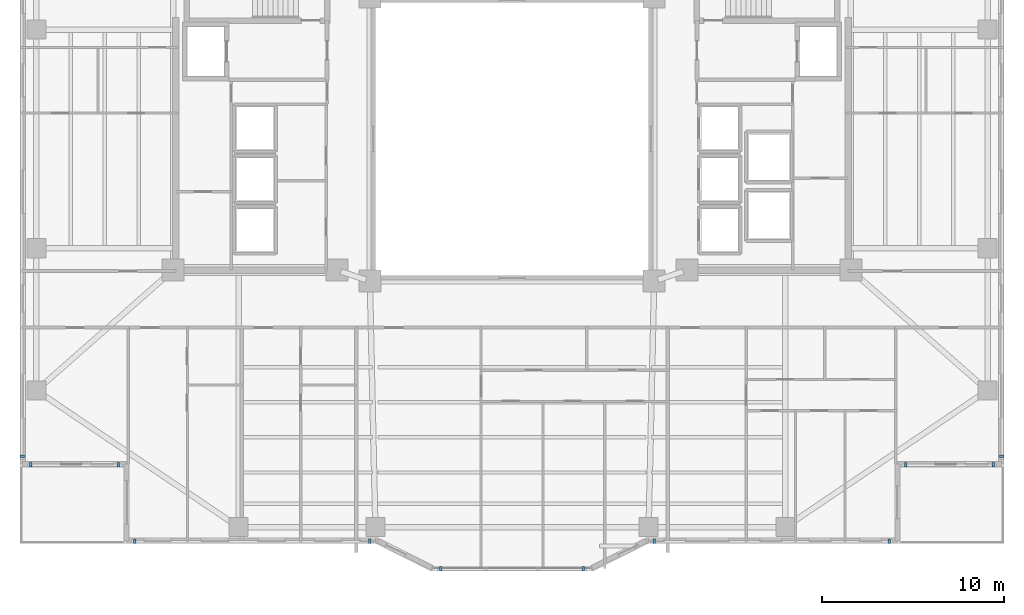
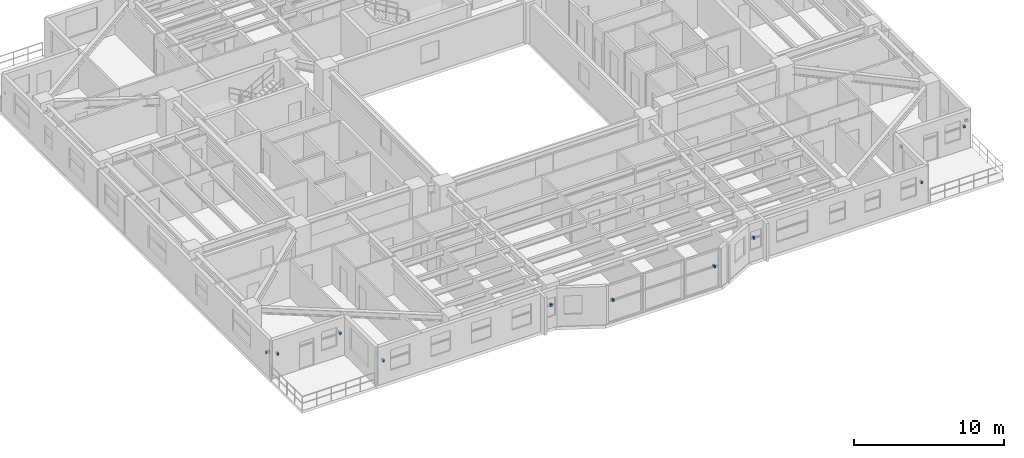
# One storey, part 13 of 19: 12 discrete accessories.
"""IFC4 building model written with IfcOpenShell, lengths in metres."""

from ifc_helpers import new_model, si_unit, direction, frame, origin, origin_2d, place, context, subcontext, project, spatial, rectangle, extrude, material, type_object, element, save


model = new_model("IFC4")

# Units and contexts
model_context = context("Model", 3, precision=1e-05, world=origin(), true_north=direction((0.0, 1.0)))
body_context = subcontext(model_context, "Body", "Model", "MODEL_VIEW")
ifc_project = project(units=[si_unit("LENGTHUNIT", "METRE"), si_unit("AREAUNIT", "SQUARE_METRE"), si_unit("VOLUMEUNIT", "CUBIC_METRE"), si_unit("PLANEANGLEUNIT", "RADIAN"), si_unit("MASSUNIT", "GRAM", prefix="KILO")], contexts=[model_context])

# Site, building, storey
site_placement = place(None, origin())
site = spatial("IfcSite", under=ifc_project, at=site_placement, CompositionType="ELEMENT")
building_placement = place(site_placement, origin())
building = spatial("IfcBuilding", under=site, at=building_placement, Name="Tarnavaz Court Tower", CompositionType="ELEMENT")
storey_placement = place(building_placement, frame((0.0, 0.0, 78.300048828125)))
storey = spatial("IfcBuildingStorey", under=building, at=storey_placement, Name="L20", CompositionType="ELEMENT", Elevation=78.300048828125)

# Discrete accessories
ifc_material = material(Name="Anodised Aluminium 6063-T6", Category="aluminium")
discrete_accessory_type = type_object("IfcDiscreteAccessoryType", Name="DA-BRKT-ALU", PredefinedType="BRACKET", material=ifc_material)
for number, where, z_axis, x_axis, name in (
    (1, (-21.60009765625, -17.8701171875, 1.75), (0.0, 0.0, 1.0), (-1.0, 0.0, 0.0), "L20 Baguette Outrigger Bracket FBG01-1"),
    (2, (-26.39990234375, -17.8701171875, 1.75), (0.0, 0.0, 1.0), (-1.0, 0.0, 0.0), "L20 Baguette Outrigger Bracket FBG01-2"),
    (3, (-26.8701171875, -17.39990234375, 1.75), (0.0, 0.0, 1.0), (0.0, 1.0, 0.0), "L20 Baguette Outrigger Bracket FBG02-1"),
    (4, (26.8701171875, -17.39990234375, 1.75), (0.0, 0.0, 1.0), (0.0, -1.0, 0.0), "L20 Baguette Outrigger Bracket FBG12-2"),
    (5, (26.39990234375, -17.8701171875, 1.75), (0.0, 0.0, 1.0), (-1.0, 0.0, 0.0), "L20 Baguette Outrigger Bracket FBG13-1"),
    (6, (21.60009765625, -17.8701171875, 1.75), (0.0, 0.0, 1.0), (-1.0, 0.0, 0.0), "L20 Baguette Outrigger Bracket FBG13-2"),
    (7, (20.699951171875, -22.070068359375, 1.75), (0.0, 0.0, 1.0), (-1.0, 0.0, 0.0), "L20 Baguette Outrigger Bracket FBG15-1"),
    (8, (7.800048828125, -22.070068359375, 1.75), (0.0, 0.0, 1.0), (-1.0, 0.0, 0.0), "L20 Baguette Outrigger Bracket FBG15-2"),
    (9, (3.89990234375, -23.570068359375, 1.7001953125), (0.0, 0.0, 1.0), (-1.0, 0.0, 0.0), "L20 Baguette Outrigger Bracket PBG17-1"),
    (10, (-3.89990234375, -23.570068359375, 1.7001953125), (0.0, 0.0, 1.0), (-1.0, 0.0, 0.0), "L20 Baguette Outrigger Bracket PBG17-2"),
    (11, (-7.800048828125, -22.070068359375, 1.75), (0.0, 0.0, 1.0), (-1.0, 0.0, 0.0), "L20 Baguette Outrigger Bracket FBG19-1"),
    (12, (-20.699951171875, -22.070068359375, 1.75), (0.0, 0.0, 1.0), (-1.0, 0.0, 0.0), "L20 Baguette Outrigger Bracket FBG19-2"),
):
    element("IfcDiscreteAccessory", number, at=place(storey_placement, frame(where, z_axis=z_axis, x_axis=x_axis)), inside=storey, type_object=discrete_accessory_type, Name=name, PredefinedType="BRACKET", context=body_context, shape_type="SweptSolid", body=[
        extrude(rectangle(XDim=0.139892578125, YDim=0.239990234375, at=origin_2d()), origin(), (0.0, 0.0, 1.0), 0.199951171875),
    ])

save(model, "model.ifc")
